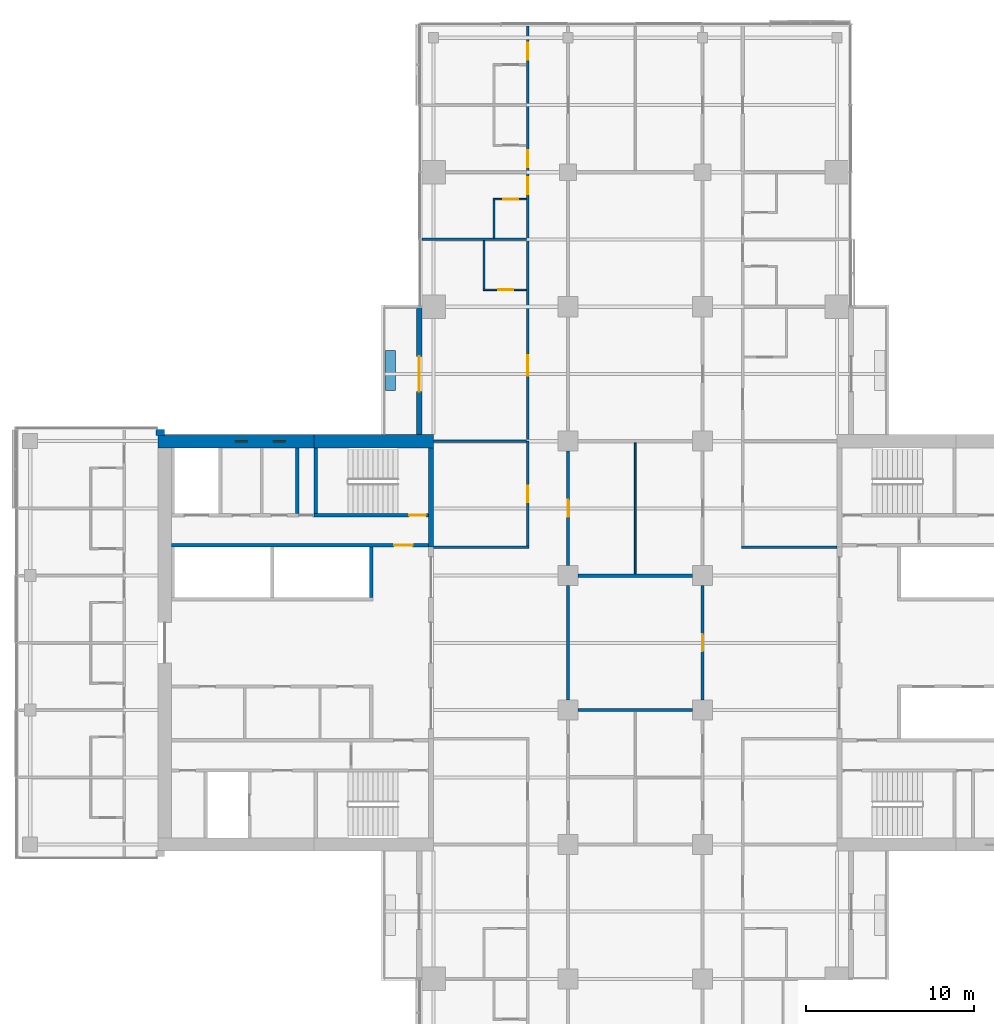
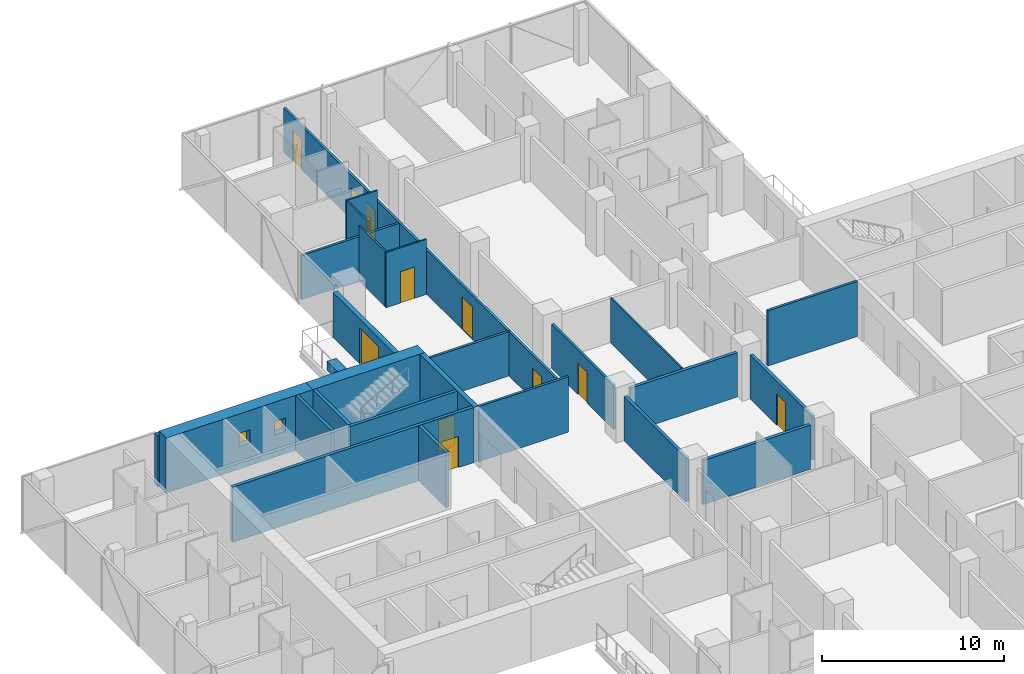
# One storey, part 19 of 27: 27 walls, 12 doors, 2 windows, 14 openings.
"""IFC4 building model written with IfcOpenShell, lengths in metres."""

from ifc_helpers import new_model, si_unit, direction, frame, frame_2d, origin, place, context, subcontext, project, spatial, rectangle, extrude, material, layer, layer_set, constituent, constituent_set, type_object, element, fill, save


model = new_model("IFC4")

# Units and contexts
model_context = context("Model", 3, precision=1e-05, world=origin(), true_north=direction((0.0, 1.0)))
body_context = subcontext(model_context, "Body", "Model", "MODEL_VIEW")
ifc_project = project(units=[si_unit("LENGTHUNIT", "METRE"), si_unit("AREAUNIT", "SQUARE_METRE"), si_unit("VOLUMEUNIT", "CUBIC_METRE"), si_unit("PLANEANGLEUNIT", "RADIAN"), si_unit("MASSUNIT", "GRAM", prefix="KILO")], contexts=[model_context])

# Site, building, storey
site_placement = place(None, origin())
site = spatial("IfcSite", under=ifc_project, at=site_placement, CompositionType="ELEMENT")
building_placement = place(site_placement, origin())
building = spatial("IfcBuilding", under=site, at=building_placement, Name="Crosswind Convention Tower", CompositionType="ELEMENT")
storey_placement = place(building_placement, frame((0.0, 0.0, 64.60009765625)))
storey = spatial("IfcBuildingStorey", under=building, at=storey_placement, Name="L10", CompositionType="ELEMENT", Elevation=64.60009765625)

# Walls
ifc_material_1 = material(Name="Concrete blockwork", Category="masonry")
ifc_layer_1 = layer(ifc_material_1, 0.199951171875)
ifc_layer_set_1 = layer_set([ifc_layer_1], Name="Blockwork partition wall 200")
wall_type_1 = type_object("IfcWallType", Name="Blockwork partition wall 200", PredefinedType="PARTITIONING", material=ifc_layer_set_1)
wall_1_placement = place(storey_placement, frame((104.89990234375, 111.60009765625, 0.0), z_axis=(0.0, 0.0, 1.0), x_axis=(0.0, -1.0, 0.0)))
element("IfcWall", 1, at=wall_1_placement, inside=storey, type_object=wall_type_1, Name="Wall MRSE W L10", PredefinedType="PARTITIONING", context=body_context, shape_type="SweptSolid", body=[
    extrude(rectangle(XDim=3.900146484375, YDim=0.199951171875, at=frame_2d((1.9501953125, 0.0))), origin(), (0.0, 0.0, 1.0), 3.699951171875),
])
ifc_material_2 = material(Name="Plasterboard partition", Category="gypsum")
ifc_layer_2 = layer(ifc_material_2, 0.14990234375)
ifc_layer_set_2 = layer_set([ifc_layer_2], Name="CORRIDOR WALL 150")
wall_type_2 = type_object("IfcWallType", Name="CORRIDOR WALL 150", PredefinedType="PARTITIONING", material=ifc_layer_set_2)
for number, where, z_axis, x_axis, name in (
    (2, (113.0, 105.699951171875, 0.0), (0.0, 0.0, 1.0), (1.0, 0.0, 0.0), "Corridor Wall 44"),
    (3, (131.324951171875, 105.699951171875, 0.0), (0.0, 0.0, 1.0), (1.0, 0.0, 0.0), "Corridor Wall 45"),
):
    element("IfcWall", number, at=place(storey_placement, frame(where, z_axis=z_axis, x_axis=x_axis)), inside=storey, type_object=wall_type_2, Name=name, PredefinedType="PARTITIONING", context=body_context, shape_type="SweptSolid", body=[
        extrude(rectangle(XDim=5.675048828125, YDim=0.14990234375, at=frame_2d((2.83740234375, 0.0))), origin(), (0.0, 0.0, 1.0), 3.699951171875),
    ])

# Wall, opening, door
wall_2_placement = place(storey_placement, frame((118.60009765625, 105.77490234375, 0.0), z_axis=(0.0, 0.0, 1.0), x_axis=(0.0, 1.0, 0.0)))
wall_2 = element("IfcWall", 4, at=wall_2_placement, inside=storey, type_object=wall_type_2, Name="Corridor Wall 85", PredefinedType="PARTITIONING", context=body_context, shape_type="SweptSolid", body=[
    extrude(rectangle(XDim=6.22509765625, YDim=0.14990234375, at=frame_2d((3.112548828125, 0.0))), origin(), (0.0, 0.0, 1.0), 2.956298828125),
])
opening_1_placement = place(wall_2_placement, frame((2.574951171875, 0.0, 0.0)))
opening_1 = element("IfcOpeningElement", 5, at=opening_1_placement, cuts=wall_2, Name="Opening 10.003", PredefinedType="OPENING", context=body_context, shape_type="SweptSolid", body=[
    extrude(rectangle(XDim=1.0, YDim=2.10009765625, at=frame_2d((0.5, 1.050048828125))), frame((0.0, 0.0849609375, 0.0), z_axis=(0.0, -1.0, 0.0), x_axis=(1.0, 0.0, 0.0)), (0.0, 0.0, 1.0), 0.169921875),
])
ifc_material_3 = material(Name="Timber fire door", Category="wood")
door_type_1 = type_object("IfcDoorType", Name="SERVICE ROOM DOOR 1000X2100", OperationType="NOTDEFINED", PredefinedType="DOOR", material=ifc_material_3)
door_1_placement = place(opening_1_placement, origin())
door_1 = element("IfcDoor", 6, at=door_1_placement, inside=storey, type_object=door_type_1, Name="Door 10.003", ObjectType="D3", OperationType="SINGLE_SWING_RIGHT", OverallHeight=2.10009765625, OverallWidth=1.0, PredefinedType="DOOR", context=body_context, shape_type="SweptSolid", body=[
    extrude(rectangle(XDim=1.0, YDim=2.10009765625, at=frame_2d((0.5, 1.050048828125))), frame((0.0, 0.02490234375, 0.0), z_axis=(0.0, -1.0, 0.0), x_axis=(1.0, 0.0, 0.0)), (0.0, 0.0, 1.0), 0.050048828125),
])
fill(opening_1, door_1)

wall_3_placement = place(storey_placement, frame((121.0, 104.60009765625, 0.0), z_axis=(0.0, 0.0, 1.0), x_axis=(0.0, 1.0, 0.0)))
wall_3 = element("IfcWall", 7, at=wall_3_placement, inside=storey, type_object=wall_type_2, Name="Corridor Wall 94", PredefinedType="PARTITIONING", context=body_context, shape_type="SweptSolid", body=[
    extrude(rectangle(XDim=6.7998046875, YDim=0.14990234375, at=frame_2d((3.39990234375, 0.0))), origin(), (0.0, 0.0, 1.0), 2.959716796875),
])
opening_2_placement = place(wall_3_placement, frame((2.89990234375, 0.0, 0.0)))
opening_2 = element("IfcOpeningElement", 8, at=opening_2_placement, cuts=wall_3, Name="Opening 10.065", PredefinedType="OPENING", context=body_context, shape_type="SweptSolid", body=[
    extrude(rectangle(XDim=1.0, YDim=2.10009765625, at=frame_2d((0.5, 1.050048828125))), frame((0.0, 0.0849609375, 0.0), z_axis=(0.0, -1.0, 0.0), x_axis=(1.0, 0.0, 0.0)), (0.0, 0.0, 1.0), 0.169921875),
])
door_2_placement = place(opening_2_placement, frame((1.0, 0.0, 0.0), z_axis=(0.0, 0.0, 1.0), x_axis=(-1.0, 0.0, 0.0)))
door_2 = element("IfcDoor", 9, at=door_2_placement, inside=storey, type_object=door_type_1, Name="Door 10.065", ObjectType="D3", OperationType="SINGLE_SWING_LEFT", OverallHeight=2.10009765625, OverallWidth=1.0, PredefinedType="DOOR", context=body_context, shape_type="SweptSolid", body=[
    extrude(rectangle(XDim=1.0, YDim=2.10009765625, at=frame_2d((0.5, 1.050048828125))), frame((0.0, 0.02490234375, 0.0), z_axis=(0.0, -1.0, 0.0), x_axis=(1.0, 0.0, 0.0)), (0.0, 0.0, 1.0), 0.050048828125),
])
fill(opening_2, door_2)

# Walls
ifc_material_4 = material(Name="Concrete C50/60", Category="concrete")
ifc_layer_3 = layer(ifc_material_4, 0.300048828125)
ifc_layer_set_3 = layer_set([ifc_layer_3], Name="Concrete C50/60")
wall_type_3 = type_object("IfcWallType", Name="Concrete inner core wall 300", PredefinedType="SHEAR", material=ifc_layer_set_3)
wall_4_placement = place(storey_placement, frame((112.85009765625, 111.60009765625, 0.0), z_axis=(0.0, 0.0, 1.0), x_axis=(0.0, -1.0, 0.0)))
element("IfcWall", 10, at=wall_4_placement, inside=storey, type_object=wall_type_3, Name="Wall EM W L10", PredefinedType="SHEAR", context=body_context, shape_type="SweptSolid", body=[
    extrude(rectangle(XDim=5.900146484375, YDim=0.300048828125, at=frame_2d((2.9501953125, 0.0))), origin(), (0.0, 0.0, 1.0), 3.699951171875),
])
ifc_layer_4 = layer(ifc_material_4, 0.199951171875)
ifc_layer_set_4 = layer_set([ifc_layer_4], Name="Concrete C50/60")
wall_type_4 = type_object("IfcWallType", Name="Concrete shaft and stair wall 200", PredefinedType="SHEAR", material=ifc_layer_set_4)
wall_5_placement = place(storey_placement, frame((109.300048828125, 105.699951171875, 0.0), z_axis=(0.0, 0.0, 1.0), x_axis=(0.0, -1.0, 0.0)))
element("IfcWall", 11, at=wall_5_placement, inside=storey, type_object=wall_type_4, Name="Wall RMEND W L10", PredefinedType="SHEAR", context=body_context, shape_type="SweptSolid", body=[
    extrude(rectangle(XDim=3.0, YDim=0.199951171875, at=frame_2d((1.5, 0.0))), origin(), (0.0, 0.0, 1.0), 3.699951171875),
])

# Wall, opening, door
wall_6_placement = place(storey_placement, frame((112.699951171875, 105.800048828125, 0.0), z_axis=(0.0, 0.0, 1.0), x_axis=(-1.0, 0.0, 0.0)))
wall_6 = element("IfcWall", 12, at=wall_6_placement, inside=storey, type_object=wall_type_4, Name="Wall HM W L10", PredefinedType="SHEAR", context=body_context, shape_type="SweptSolid", body=[
    extrude(rectangle(XDim=15.300048828125, YDim=0.199951171875, at=frame_2d((7.64990234375, 0.0))), origin(), (0.0, 0.0, 1.0), 3.699951171875),
])
opening_3_placement = place(wall_6_placement, frame((0.949951171875, 0.0, 0.0)))
opening_3 = element("IfcOpeningElement", 13, at=opening_3_placement, cuts=wall_6, Name="Opening D104", PredefinedType="OPENING", context=body_context, shape_type="SweptSolid", body=[
    extrude(rectangle(XDim=1.10009765625, YDim=2.10009765625, at=frame_2d((0.550048828125, 1.050048828125))), frame((0.0, 0.10986328125, 0.0), z_axis=(0.0, -1.0, 0.0), x_axis=(1.0, 0.0, 0.0)), (0.0, 0.0, 1.0), 0.219970703125),
])
ifc_material_5 = material(Name="Steel fire door", Category="steel")
door_type_2 = type_object("IfcDoorType", Name="Fire-rated single door 1100x2100", OperationType="NOTDEFINED", PredefinedType="DOOR", material=ifc_material_5)
door_3_placement = place(opening_3_placement, origin())
door_3 = element("IfcDoor", 14, at=door_3_placement, inside=storey, type_object=door_type_2, Name="Corridor door L10", ObjectType="D104", OperationType="SINGLE_SWING_LEFT", OverallHeight=2.10009765625, OverallWidth=1.10009765625, PredefinedType="DOOR", context=body_context, shape_type="SweptSolid", body=[
    extrude(rectangle(XDim=1.10009765625, YDim=2.10009765625, at=frame_2d((0.550048828125, 1.050048828125))), frame((0.0, 0.02490234375, 0.0), z_axis=(0.0, -1.0, 0.0), x_axis=(1.0, 0.0, 0.0)), (0.0, 0.0, 1.0), 0.050048828125),
])
fill(opening_3, door_3)

# Wall
wall_7_placement = place(storey_placement, frame((106.0, 111.60009765625, 0.0), z_axis=(0.0, 0.0, 1.0), x_axis=(0.0, -1.0, 0.0)))
element("IfcWall", 15, at=wall_7_placement, inside=storey, type_object=wall_type_4, Name="Wall MSE W L10", PredefinedType="SHEAR", context=body_context, shape_type="SweptSolid", body=[
    extrude(rectangle(XDim=3.900146484375, YDim=0.199951171875, at=frame_2d((1.9501953125, 0.0))), origin(), (0.0, 0.0, 1.0), 3.699951171875),
])

# Wall, opening, door
wall_8_placement = place(storey_placement, frame((112.699951171875, 107.60009765625, 0.0), z_axis=(0.0, 0.0, 1.0), x_axis=(-1.0, 0.0, 0.0)))
wall_8 = element("IfcWall", 16, at=wall_8_placement, inside=storey, type_object=wall_type_4, Name="Wall MCW W L10", PredefinedType="SHEAR", context=body_context, shape_type="SweptSolid", body=[
    extrude(rectangle(XDim=6.800048828125, YDim=0.199951171875, at=frame_2d((3.39990234375, 0.0))), origin(), (0.0, 0.0, 1.0), 3.699951171875),
])
opening_4_placement = place(wall_8_placement, frame((0.14990234375, 0.0, 0.0)))
opening_4 = element("IfcOpeningElement", 17, at=opening_4_placement, cuts=wall_8, Name="Opening D103", PredefinedType="OPENING", context=body_context, shape_type="SweptSolid", body=[
    extrude(rectangle(XDim=1.0, YDim=2.10009765625, at=frame_2d((0.5, 1.050048828125))), frame((0.0, 0.10986328125, 0.0), z_axis=(0.0, -1.0, 0.0), x_axis=(1.0, 0.0, 0.0)), (0.0, 0.0, 1.0), 0.219970703125),
])
door_type_3 = type_object("IfcDoorType", Name="Fire-rated single door 1000x2100", OperationType="NOTDEFINED", PredefinedType="DOOR", material=ifc_material_5)
door_4_placement = place(opening_4_placement, frame((1.0, 0.0, 0.0), z_axis=(0.0, 0.0, 1.0), x_axis=(-1.0, 0.0, 0.0)))
door_4 = element("IfcDoor", 18, at=door_4_placement, inside=storey, type_object=door_type_3, Name="Stair ST4 door L10", ObjectType="D103", OperationType="SINGLE_SWING_RIGHT", OverallHeight=2.10009765625, OverallWidth=1.0, PredefinedType="DOOR", context=body_context, shape_type="SweptSolid", body=[
    extrude(rectangle(XDim=1.0, YDim=2.10009765625, at=frame_2d((0.5, 1.050048828125))), frame((0.0, 0.02490234375, 0.0), z_axis=(0.0, -1.0, 0.0), x_axis=(1.0, 0.0, 0.0)), (0.0, 0.0, 1.0), 0.050048828125),
])
fill(opening_4, door_4)

# Walls
ifc_material_6 = material(Name="Acoustic plasterboard partition", Category="gypsum")
ifc_layer_5 = layer(ifc_material_6, 0.14990234375)
ifc_layer_set_5 = layer_set([ifc_layer_5], Name="GUEST ROOM WALL 150")
wall_type_5 = type_object("IfcWallType", Name="GUEST ROOM WALL 150", PredefinedType="PARTITIONING", material=ifc_layer_set_5)
wall_9_placement = place(storey_placement, frame((113.0, 112.0, 0.0), z_axis=(0.0, 0.0, 1.0), x_axis=(1.0, 0.0, 0.0)))
element("IfcWall", 19, at=wall_9_placement, inside=storey, type_object=wall_type_5, Name="Guest Room Wall 51", PredefinedType="PARTITIONING", context=body_context, shape_type="SweptSolid", body=[
    extrude(rectangle(XDim=5.52490234375, YDim=0.14990234375, at=frame_2d((2.762451171875, 0.0))), origin(), (0.0, 0.0, 1.0), 2.956298828125),
])
wall_10_placement = place(storey_placement, frame((112.300048828125, 124.0, 0.0), z_axis=(0.0, 0.0, 1.0), x_axis=(1.0, 0.0, 0.0)))
element("IfcWall", 20, at=wall_10_placement, inside=storey, type_object=wall_type_5, Name="Guest Room Wall 58", PredefinedType="PARTITIONING", context=body_context, shape_type="SweptSolid", body=[
    extrude(rectangle(XDim=6.224853515625, YDim=0.14990234375, at=frame_2d((3.1123046875, 0.0))), origin(), (0.0, 0.0, 1.0), 2.962646484375),
])

# Wall, openings, doors
wall_11_placement = place(storey_placement, frame((118.60009765625, 112.0, 0.0), z_axis=(0.0, 0.0, 1.0), x_axis=(0.0, 1.0, 0.0)))
wall_11 = element("IfcWall", 21, at=wall_11_placement, inside=storey, type_object=wall_type_5, Name="Guest Room Wall 86", PredefinedType="PARTITIONING", context=body_context, shape_type="SweptSolid", body=[
    extrude(rectangle(XDim=24.699951171875, YDim=0.14990234375, at=frame_2d((12.35009765625, 0.0))), origin(), (0.0, 0.0, 1.0), 2.956298828125),
])
opening_5_placement = place(wall_11_placement, frame((3.89990234375, 0.0, 0.0)))
opening_5 = element("IfcOpeningElement", 22, at=opening_5_placement, cuts=wall_11, Name="Opening 10.012", PredefinedType="OPENING", context=body_context, shape_type="SweptSolid", body=[
    extrude(rectangle(XDim=1.199951171875, YDim=2.199951171875, at=frame_2d((0.60009765625, 1.10009765625))), frame((0.0, 0.0849609375, 0.0), z_axis=(0.0, -1.0, 0.0), x_axis=(1.0, 0.0, 0.0)), (0.0, 0.0, 1.0), 0.169921875),
])
opening_6_placement = place(wall_11_placement, frame((14.699951171875, 0.0, 0.0)))
opening_6 = element("IfcOpeningElement", 23, at=opening_6_placement, cuts=wall_11, Name="Opening 10.014", PredefinedType="OPENING", context=body_context, shape_type="SweptSolid", body=[
    extrude(rectangle(XDim=1.0, YDim=2.10009765625, at=frame_2d((0.5, 1.050048828125))), frame((0.0, 0.0849609375, 0.0), z_axis=(0.0, -1.0, 0.0), x_axis=(1.0, 0.0, 0.0)), (0.0, 0.0, 1.0), 0.169921875),
])
opening_7_placement = place(wall_11_placement, frame((16.300048828125, 0.0, 0.0)))
opening_7 = element("IfcOpeningElement", 24, at=opening_7_placement, cuts=wall_11, Name="Opening 10.016", PredefinedType="OPENING", context=body_context, shape_type="SweptSolid", body=[
    extrude(rectangle(XDim=1.0, YDim=2.10009765625, at=frame_2d((0.5, 1.050048828125))), frame((0.0, 0.0849609375, 0.0), z_axis=(0.0, -1.0, 0.0), x_axis=(1.0, 0.0, 0.0)), (0.0, 0.0, 1.0), 0.169921875),
])
opening_8_placement = place(wall_11_placement, frame((22.699951171875, 0.0, 0.0)))
opening_8 = element("IfcOpeningElement", 25, at=opening_8_placement, cuts=wall_11, Name="Opening 10.018", PredefinedType="OPENING", context=body_context, shape_type="SweptSolid", body=[
    extrude(rectangle(XDim=1.0, YDim=2.10009765625, at=frame_2d((0.5, 1.050048828125))), frame((0.0, 0.0849609375, 0.0), z_axis=(0.0, -1.0, 0.0), x_axis=(1.0, 0.0, 0.0)), (0.0, 0.0, 1.0), 0.169921875),
])
door_type_4 = type_object("IfcDoorType", Name="GUEST ROOM DOOR 1000X2100", OperationType="NOTDEFINED", PredefinedType="DOOR", material=ifc_material_3)
door_5_placement = place(opening_6_placement, origin())
door_5 = element("IfcDoor", 26, at=door_5_placement, inside=storey, type_object=door_type_4, Name="Door 10.014", ObjectType="D1", OperationType="SINGLE_SWING_RIGHT", OverallHeight=2.10009765625, OverallWidth=1.0, PredefinedType="DOOR", context=body_context, shape_type="SweptSolid", body=[
    extrude(rectangle(XDim=1.0, YDim=2.10009765625, at=frame_2d((0.5, 1.050048828125))), frame((0.0, 0.02490234375, 0.0), z_axis=(0.0, -1.0, 0.0), x_axis=(1.0, 0.0, 0.0)), (0.0, 0.0, 1.0), 0.050048828125),
])
fill(opening_6, door_5)
door_6_placement = place(opening_7_placement, origin())
door_6 = element("IfcDoor", 27, at=door_6_placement, inside=storey, type_object=door_type_4, Name="Door 10.016", ObjectType="D1", OperationType="SINGLE_SWING_RIGHT", OverallHeight=2.10009765625, OverallWidth=1.0, PredefinedType="DOOR", context=body_context, shape_type="SweptSolid", body=[
    extrude(rectangle(XDim=1.0, YDim=2.10009765625, at=frame_2d((0.5, 1.050048828125))), frame((0.0, 0.02490234375, 0.0), z_axis=(0.0, -1.0, 0.0), x_axis=(1.0, 0.0, 0.0)), (0.0, 0.0, 1.0), 0.050048828125),
])
fill(opening_7, door_6)
door_7_placement = place(opening_8_placement, origin())
door_7 = element("IfcDoor", 28, at=door_7_placement, inside=storey, type_object=door_type_4, Name="Door 10.018", ObjectType="D1", OperationType="SINGLE_SWING_LEFT", OverallHeight=2.10009765625, OverallWidth=1.0, PredefinedType="DOOR", context=body_context, shape_type="SweptSolid", body=[
    extrude(rectangle(XDim=1.0, YDim=2.10009765625, at=frame_2d((0.5, 1.050048828125))), frame((0.0, 0.02490234375, 0.0), z_axis=(0.0, -1.0, 0.0), x_axis=(1.0, 0.0, 0.0)), (0.0, 0.0, 1.0), 0.050048828125),
])
fill(opening_8, door_7)
door_type_5 = type_object("IfcDoorType", Name="SUITE DOOR 1200X2200", OperationType="DOUBLE_DOOR_SINGLE_SWING", PredefinedType="DOOR", material=ifc_material_3)
door_8_placement = place(opening_5_placement, origin())
door_8 = element("IfcDoor", 29, at=door_8_placement, inside=storey, type_object=door_type_5, Name="Door 10.012", ObjectType="D14", OperationType="DOUBLE_DOOR_SINGLE_SWING", OverallHeight=2.199951171875, OverallWidth=1.199951171875, PredefinedType="DOOR", context=body_context, shape_type="SweptSolid", body=[
    extrude(rectangle(XDim=1.199951171875, YDim=2.199951171875, at=frame_2d((0.60009765625, 1.10009765625))), frame((0.0, 0.02490234375, 0.0), z_axis=(0.0, -1.0, 0.0), x_axis=(1.0, 0.0, 0.0)), (0.0, 0.0, 1.0), 0.050048828125),
])
fill(opening_5, door_8)

# Walls
ifc_material_7 = material(Name="Double plasterboard partition", Category="gypsum")
ifc_layer_6 = layer(ifc_material_7, 0.199951171875)
ifc_layer_set_6 = layer_set([ifc_layer_6], Name="HALL WALL 200")
wall_type_6 = type_object("IfcWallType", Name="HALL WALL 200", PredefinedType="PARTITIONING", material=ifc_layer_set_6)
for number, where, z_axis, x_axis, name in (
    (30, (121.60009765625, 96.0, 0.0), (0.0, 0.0, 1.0), (1.0, 0.0, 0.0), "Hall Wall 31"),
    (31, (121.60009765625, 104.0, 0.0), (0.0, 0.0, 1.0), (1.0, 0.0, 0.0), "Hall Wall 40"),
    (32, (121.0, 96.60009765625, 0.0), (0.0, 0.0, 1.0), (0.0, 1.0, 0.0), "Hall Wall 93"),
):
    element("IfcWall", number, at=place(storey_placement, frame(where, z_axis=z_axis, x_axis=x_axis)), inside=storey, type_object=wall_type_6, Name=name, PredefinedType="PARTITIONING", context=body_context, shape_type="SweptSolid", body=[
        extrude(rectangle(XDim=6.7998046875, YDim=0.199951171875, at=frame_2d((3.39990234375, 0.0))), origin(), (0.0, 0.0, 1.0), 2.959716796875),
    ])

# Wall, opening, door
wall_12_placement = place(storey_placement, frame((129.0, 96.60009765625, 0.0), z_axis=(0.0, 0.0, 1.0), x_axis=(0.0, 1.0, 0.0)))
wall_12 = element("IfcWall", 33, at=wall_12_placement, inside=storey, type_object=wall_type_6, Name="Hall Wall 109", PredefinedType="PARTITIONING", context=body_context, shape_type="SweptSolid", body=[
    extrude(rectangle(XDim=6.7998046875, YDim=0.199951171875, at=frame_2d((3.39990234375, 0.0))), origin(), (0.0, 0.0, 1.0), 2.959716796875),
])
opening_9_placement = place(wall_12_placement, frame((2.89990234375, 0.0, 0.0)))
opening_9 = element("IfcOpeningElement", 34, at=opening_9_placement, cuts=wall_12, Name="Opening 10.064", PredefinedType="OPENING", context=body_context, shape_type="SweptSolid", body=[
    extrude(rectangle(XDim=1.0, YDim=2.10009765625, at=frame_2d((0.5, 1.050048828125))), frame((0.0, 0.10986328125, 0.0), z_axis=(0.0, -1.0, 0.0), x_axis=(1.0, 0.0, 0.0)), (0.0, 0.0, 1.0), 0.219970703125),
])
door_type_6 = type_object("IfcDoorType", Name="MEETING ROOM DOOR 1000X2100", OperationType="NOTDEFINED", PredefinedType="DOOR", material=ifc_material_3)
door_9_placement = place(opening_9_placement, frame((1.0, 0.0, 0.0), z_axis=(0.0, 0.0, 1.0), x_axis=(-1.0, 0.0, 0.0)))
door_9 = element("IfcDoor", 35, at=door_9_placement, inside=storey, type_object=door_type_6, Name="Door 10.064", ObjectType="D13", OperationType="SINGLE_SWING_LEFT", OverallHeight=2.10009765625, OverallWidth=1.0, PredefinedType="DOOR", context=body_context, shape_type="SweptSolid", body=[
    extrude(rectangle(XDim=1.0, YDim=2.10009765625, at=frame_2d((0.5, 1.050048828125))), frame((0.0, 0.02490234375, 0.0), z_axis=(0.0, -1.0, 0.0), x_axis=(1.0, 0.0, 0.0)), (0.0, 0.0, 1.0), 0.050048828125),
])
fill(opening_9, door_9)

# Walls
ifc_layer_7 = layer(ifc_material_2, 0.10009765625)
ifc_layer_set_7 = layer_set([ifc_layer_7], Name="PARTITION 100")
wall_type_7 = type_object("IfcWallType", Name="PARTITION 100", PredefinedType="PARTITIONING", material=ifc_layer_set_7)
wall_13_placement = place(storey_placement, frame((125.0, 104.10009765625, 0.0), z_axis=(0.0, 0.0, 1.0), x_axis=(0.0, 1.0, 0.0)))
element("IfcWall", 36, at=wall_13_placement, inside=storey, type_object=wall_type_7, Name="Partition 102", PredefinedType="PARTITIONING", context=body_context, shape_type="SweptSolid", body=[
    extrude(rectangle(XDim=7.7998046875, YDim=0.10009765625, at=frame_2d((3.89990234375, 0.0))), origin(), (0.0, 0.0, 1.0), 3.013427734375),
])
ifc_material_8 = material(Name="Concrete C30/37", Category="concrete")
ifc_layer_8 = layer(ifc_material_8, 0.60009765625)
ifc_layer_set_8 = layer_set([ifc_layer_8], Name="Concrete C30/37")
wall_type_8 = type_object("IfcWallType", Name="PLANTER BOX WALL 600", PredefinedType="SOLIDWALL", material=ifc_layer_set_8)
wall_14_placement = place(storey_placement, frame((110.449951171875, 117.39990234375, 0.0), z_axis=(0.0, 0.0, 1.0), x_axis=(0.0, -1.0, 0.0)))
element("IfcWall", 37, at=wall_14_placement, inside=storey, type_object=wall_type_8, Name="PLANTER L10 N-W.1-3", PredefinedType="SOLIDWALL", context=body_context, shape_type="SweptSolid", body=[
    extrude(rectangle(XDim=2.39990234375, YDim=0.60009765625, at=frame_2d((1.199951171875, 0.0))), origin(), (0.0, 0.0, 1.0), 0.599853515625),
])
ifc_material_9 = material(Name="Terracotta rainscreen", Category="ceramic")
ifc_layer_9 = layer(ifc_material_9, 0.02001953125)
ifc_material_10 = material(Name="Mineral wool insulation", Category="insulation")
ifc_layer_10 = layer(ifc_material_10, 0.10009765625)
ifc_layer_11 = layer(ifc_material_1, 0.236083984375)
ifc_layer_set_9 = layer_set([ifc_layer_9, ifc_layer_10, ifc_layer_11], Name="TERRACOTTA CORNER INFILL WALL 356")
wall_type_9 = type_object("IfcWallType", Name="TERRACOTTA CORNER INFILL WALL 356", PredefinedType="SOLIDWALL", material=ifc_layer_set_9)
wall_15_placement = place(storey_placement, frame((96.4951171875, 112.52197265625, 0.0), z_axis=(0.0, 0.0, 1.0), x_axis=(1.0, 0.0, 0.0)))
element("IfcWall", 38, at=wall_15_placement, inside=storey, type_object=wall_type_9, Name="Core corner infill wall L10 2", PredefinedType="SOLIDWALL", context=body_context, shape_type="SweptSolid", body=[
    extrude(rectangle(XDim=0.5048828125, YDim=0.35595703125, at=frame_2d((0.25244140625, 0.0))), origin(), (0.0, 0.0, 1.0), 3.419921875),
])

# Wall, opening, door
ifc_layer_12 = layer(ifc_material_9, 0.02001953125)
ifc_layer_13 = layer(ifc_material_10, 0.10009765625)
ifc_layer_14 = layer(ifc_material_1, 0.179931640625)
ifc_layer_set_10 = layer_set([ifc_layer_12, ifc_layer_13, ifc_layer_14], Name="TERRACOTTA INFILL WALL 300")
wall_type_10 = type_object("IfcWallType", Name="TERRACOTTA INFILL WALL 300", PredefinedType="SOLIDWALL", material=ifc_layer_set_10)
wall_16_placement = place(storey_placement, frame((112.14990234375, 119.967529296875, 0.0), z_axis=(0.0, 0.0, 1.0), x_axis=(0.0, -1.0, 0.0)))
wall_16 = element("IfcWall", 39, at=wall_16_placement, inside=storey, type_object=wall_type_10, Name="Notch front wall L10 N-W.1-3", PredefinedType="SOLIDWALL", context=body_context, shape_type="SweptSolid", body=[
    extrude(rectangle(XDim=7.567626953125, YDim=0.300048828125, at=frame_2d((3.78369140625, 0.0))), origin(), (0.0, 0.0, 1.0), 3.013427734375),
])
opening_10_placement = place(wall_16_placement, frame((2.91748046875, 0.0, 0.0)))
opening_10 = element("IfcOpeningElement", 40, at=opening_10_placement, cuts=wall_16, Name="Opening D141", PredefinedType="OPENING", context=body_context, shape_type="SweptSolid", body=[
    extrude(rectangle(XDim=2.10009765625, YDim=2.39990234375, at=frame_2d((1.050048828125, 1.199951171875))), frame((0.0, 0.159912109375, 0.0), z_axis=(0.0, -1.0, 0.0), x_axis=(1.0, 0.0, 0.0)), (0.0, 0.0, 1.0), 0.320068359375),
])
ifc_material_11 = material(Name="Aluminium glazed door", Category="aluminium")
door_type_7 = type_object("IfcDoorType", Name="BALCONY SLIDING DOOR 2100X2400", OperationType="SLIDING_TO_LEFT", PredefinedType="DOOR", material=ifc_material_11)
door_10_placement = place(opening_10_placement, frame((2.10009765625, 0.0, 0.0), z_axis=(0.0, 0.0, 1.0), x_axis=(-1.0, 0.0, 0.0)))
door_10 = element("IfcDoor", 41, at=door_10_placement, inside=storey, type_object=door_type_7, Name="D141 balcony door L10 N-W.1-3", ObjectType="D141", OperationType="SLIDING_TO_LEFT", OverallHeight=2.39990234375, OverallWidth=2.10009765625, PredefinedType="DOOR", context=body_context, shape_type="SweptSolid", body=[
    extrude(rectangle(XDim=2.10009765625, YDim=2.39990234375, at=frame_2d((1.050048828125, 1.199951171875))), frame((0.0, 0.02490234375, 0.0), z_axis=(0.0, -1.0, 0.0), x_axis=(1.0, 0.0, 0.0)), (0.0, 0.0, 1.0), 0.050048828125),
])
fill(opening_10, door_10)

# Wall
ifc_material_12 = material(Name="Concrete C60/75", Category="concrete")
ifc_constituent_1 = constituent(ifc_material_12, Name="Structure")
ifc_constituent_2 = constituent(ifc_material_9, Name="Facing")
ifc_constituent_set = constituent_set(constituents=[ifc_constituent_1, ifc_constituent_2], Name="Concrete C60/75, Terracotta rainscreen")
wall_type_11 = type_object("IfcWallType", Name="Terracotta rainscreen on concrete core wall 800", PredefinedType="SHEAR", material=ifc_constituent_set)
wall_17_placement = place(storey_placement, frame((113.0, 112.0, 0.0), z_axis=(0.0, 0.0, 1.0), x_axis=(-1.0, 0.0, 0.0)))
element("IfcWall", 42, at=wall_17_placement, inside=storey, type_object=wall_type_11, Name="Wall S1 W L10", PredefinedType="SHEAR", context=body_context, shape_type="SweptSolid", body=[
    extrude(rectangle(XDim=7.10009765625, YDim=0.800048828125, at=frame_2d((3.550048828125, 0.0))), origin(), (0.0, 0.0, 1.0), 3.699951171875),
])

# Wall, openings, windows
wall_18_placement = place(storey_placement, frame((105.89990234375, 112.0, 0.0), z_axis=(0.0, 0.0, 1.0), x_axis=(-1.0, 0.0, 0.0)))
wall_18 = element("IfcWall", 43, at=wall_18_placement, inside=storey, type_object=wall_type_11, Name="Wall S2 W L10", PredefinedType="SHEAR", context=body_context, shape_type="SweptSolid", body=[
    extrude(rectangle(XDim=9.2998046875, YDim=0.800048828125, at=frame_2d((4.64990234375, 0.0))), origin(), (0.0, 0.0, 1.0), 3.699951171875),
])
opening_11_placement = place(wall_18_placement, frame((1.730712890625, 0.0, 1.5)))
opening_11 = element("IfcOpeningElement", 44, at=opening_11_placement, cuts=wall_18, Name="Opening W2", PredefinedType="OPENING", context=body_context, shape_type="SweptSolid", body=[
    extrude(rectangle(XDim=0.699951171875, YDim=0.89990234375, at=frame_2d((0.35009765625, 0.449951171875))), frame((0.0, 0.409912109375, 0.0), z_axis=(0.0, -1.0, 0.0), x_axis=(1.0, 0.0, 0.0)), (0.0, 0.0, 1.0), 0.820068359375),
])
opening_12_placement = place(wall_18_placement, frame((3.9931640625, 0.0, 1.5)))
opening_12 = element("IfcOpeningElement", 45, at=opening_12_placement, cuts=wall_18, Name="Opening W2", PredefinedType="OPENING", context=body_context, shape_type="SweptSolid", body=[
    extrude(rectangle(XDim=0.699951171875, YDim=0.89990234375, at=frame_2d((0.35009765625, 0.449951171875))), frame((0.0, 0.409912109375, 0.0), z_axis=(0.0, -1.0, 0.0), x_axis=(1.0, 0.0, 0.0)), (0.0, 0.0, 1.0), 0.820068359375),
])
ifc_material_13 = material(Name="Obscure glass in aluminium frame", Category="aluminium")
window_type = type_object("IfcWindowType", Name="WC window 700x900", PartitioningType="SINGLE_PANEL", PredefinedType="WINDOW", material=ifc_material_13)
window_1_placement = place(opening_11_placement, origin())
window_1 = element("IfcWindow", 46, at=window_1_placement, inside=storey, type_object=window_type, Name="WC window L10", ObjectType="W2", OverallHeight=0.89990234375, OverallWidth=0.699951171875, PartitioningType="SINGLE_PANEL", PredefinedType="WINDOW", context=body_context, shape_type="SweptSolid", body=[
    extrude(rectangle(XDim=0.699951171875, YDim=0.89990234375, at=frame_2d((0.35009765625, 0.449951171875))), frame((0.0, 0.030029296875, 0.0), z_axis=(0.0, -1.0, 0.0), x_axis=(1.0, 0.0, 0.0)), (0.0, 0.0, 1.0), 0.06005859375),
])
fill(opening_11, window_1)
window_2_placement = place(opening_12_placement, origin())
window_2 = element("IfcWindow", 47, at=window_2_placement, inside=storey, type_object=window_type, Name="WC window L10", ObjectType="W2", OverallHeight=0.89990234375, OverallWidth=0.699951171875, PartitioningType="SINGLE_PANEL", PredefinedType="WINDOW", context=body_context, shape_type="SweptSolid", body=[
    extrude(rectangle(XDim=0.699951171875, YDim=0.89990234375, at=frame_2d((0.35009765625, 0.449951171875))), frame((0.0, 0.030029296875, 0.0), z_axis=(0.0, -1.0, 0.0), x_axis=(1.0, 0.0, 0.0)), (0.0, 0.0, 1.0), 0.06005859375),
])
fill(opening_12, window_2)

# Wall, opening, door
ifc_material_14 = material(Name="Water-resistant plasterboard partition", Category="gypsum")
ifc_layer_15 = layer(ifc_material_14, 0.10009765625)
ifc_layer_set_11 = layer_set([ifc_layer_15], Name="WET ROOM PARTITION 100")
wall_type_12 = type_object("IfcWallType", Name="WET ROOM PARTITION 100", PredefinedType="PLUMBINGWALL", material=ifc_layer_set_11)
wall_19_placement = place(storey_placement, frame((115.949951171875, 121.0, 0.0), z_axis=(0.0, 0.0, 1.0), x_axis=(1.0, 0.0, 0.0)))
wall_19 = element("IfcWall", 48, at=wall_19_placement, inside=storey, type_object=wall_type_12, Name="Wet Room Partition 56", PredefinedType="PLUMBINGWALL", context=body_context, shape_type="SweptSolid", body=[
    extrude(rectangle(XDim=2.574951171875, YDim=0.10009765625, at=frame_2d((1.28759765625, 0.0))), origin(), (0.0, 0.0, 1.0), 3.699951171875),
])
opening_13_placement = place(wall_19_placement, frame((0.89990234375, 0.0, 0.0)))
opening_13 = element("IfcOpeningElement", 49, at=opening_13_placement, cuts=wall_19, Name="Opening 10.013", PredefinedType="OPENING", context=body_context, shape_type="SweptSolid", body=[
    extrude(rectangle(XDim=0.89990234375, YDim=2.10009765625, at=frame_2d((0.449951171875, 1.050048828125))), frame((0.0, 0.06005859375, 0.0), z_axis=(0.0, -1.0, 0.0), x_axis=(1.0, 0.0, 0.0)), (0.0, 0.0, 1.0), 0.1201171875),
])
ifc_material_15 = material(Name="Timber door", Category="wood")
door_type_8 = type_object("IfcDoorType", Name="EN-SUITE DOOR 900X2100", OperationType="NOTDEFINED", PredefinedType="DOOR", material=ifc_material_15)
door_11_placement = place(opening_13_placement, origin())
door_11 = element("IfcDoor", 50, at=door_11_placement, inside=storey, type_object=door_type_8, Name="Door 10.013", ObjectType="D2", OperationType="SINGLE_SWING_RIGHT", OverallHeight=2.10009765625, OverallWidth=0.89990234375, PredefinedType="DOOR", context=body_context, shape_type="SweptSolid", body=[
    extrude(rectangle(XDim=0.89990234375, YDim=2.10009765625, at=frame_2d((0.449951171875, 1.050048828125))), frame((0.0, 0.02490234375, 0.0), z_axis=(0.0, -1.0, 0.0), x_axis=(1.0, 0.0, 0.0)), (0.0, 0.0, 1.0), 0.050048828125),
])
fill(opening_13, door_11)

wall_20_placement = place(storey_placement, frame((116.550048828125, 126.39990234375, 0.0), z_axis=(0.0, 0.0, 1.0), x_axis=(1.0, 0.0, 0.0)))
wall_20 = element("IfcWall", 51, at=wall_20_placement, inside=storey, type_object=wall_type_12, Name="Wet Room Partition 61", PredefinedType="PLUMBINGWALL", context=body_context, shape_type="SweptSolid", body=[
    extrude(rectangle(XDim=1.974853515625, YDim=0.10009765625, at=frame_2d((0.9873046875, 0.0))), origin(), (0.0, 0.0, 1.0), 3.699951171875),
])
opening_14_placement = place(wall_20_placement, frame((0.60009765625, 0.0, 0.0)))
opening_14 = element("IfcOpeningElement", 52, at=opening_14_placement, cuts=wall_20, Name="Opening 10.015", PredefinedType="OPENING", context=body_context, shape_type="SweptSolid", body=[
    extrude(rectangle(XDim=0.89990234375, YDim=2.10009765625, at=frame_2d((0.449951171875, 1.050048828125))), frame((0.0, 0.06005859375, 0.0), z_axis=(0.0, -1.0, 0.0), x_axis=(1.0, 0.0, 0.0)), (0.0, 0.0, 1.0), 0.1201171875),
])
door_12_placement = place(opening_14_placement, frame((0.89990234375, 0.0, 0.0), z_axis=(0.0, 0.0, 1.0), x_axis=(-1.0, 0.0, 0.0)))
door_12 = element("IfcDoor", 53, at=door_12_placement, inside=storey, type_object=door_type_8, Name="Door 10.015", ObjectType="D2", OperationType="SINGLE_SWING_LEFT", OverallHeight=2.10009765625, OverallWidth=0.89990234375, PredefinedType="DOOR", context=body_context, shape_type="SweptSolid", body=[
    extrude(rectangle(XDim=0.89990234375, YDim=2.10009765625, at=frame_2d((0.449951171875, 1.050048828125))), frame((0.0, 0.02490234375, 0.0), z_axis=(0.0, -1.0, 0.0), x_axis=(1.0, 0.0, 0.0)), (0.0, 0.0, 1.0), 0.050048828125),
])
fill(opening_14, door_12)

# Walls
wall_21_placement = place(storey_placement, frame((116.0, 121.050048828125, 0.0), z_axis=(0.0, 0.0, 1.0), x_axis=(0.0, 1.0, 0.0)))
element("IfcWall", 54, at=wall_21_placement, inside=storey, type_object=wall_type_12, Name="Wet Room Partition 76", PredefinedType="PLUMBINGWALL", context=body_context, shape_type="SweptSolid", body=[
    extrude(rectangle(XDim=2.875, YDim=0.10009765625, at=frame_2d((1.4375, 0.0))), origin(), (0.0, 0.0, 1.0), 3.699951171875),
])
wall_22_placement = place(storey_placement, frame((116.60009765625, 124.074951171875, 0.0), z_axis=(0.0, 0.0, 1.0), x_axis=(0.0, 1.0, 0.0)))
element("IfcWall", 55, at=wall_22_placement, inside=storey, type_object=wall_type_12, Name="Wet Room Partition 79", PredefinedType="PLUMBINGWALL", context=body_context, shape_type="SweptSolid", body=[
    extrude(rectangle(XDim=2.275146484375, YDim=0.10009765625, at=frame_2d((1.1376953125, 0.0))), origin(), (0.0, 0.0, 1.0), 3.699951171875),
])

save(model, "model.ifc")
